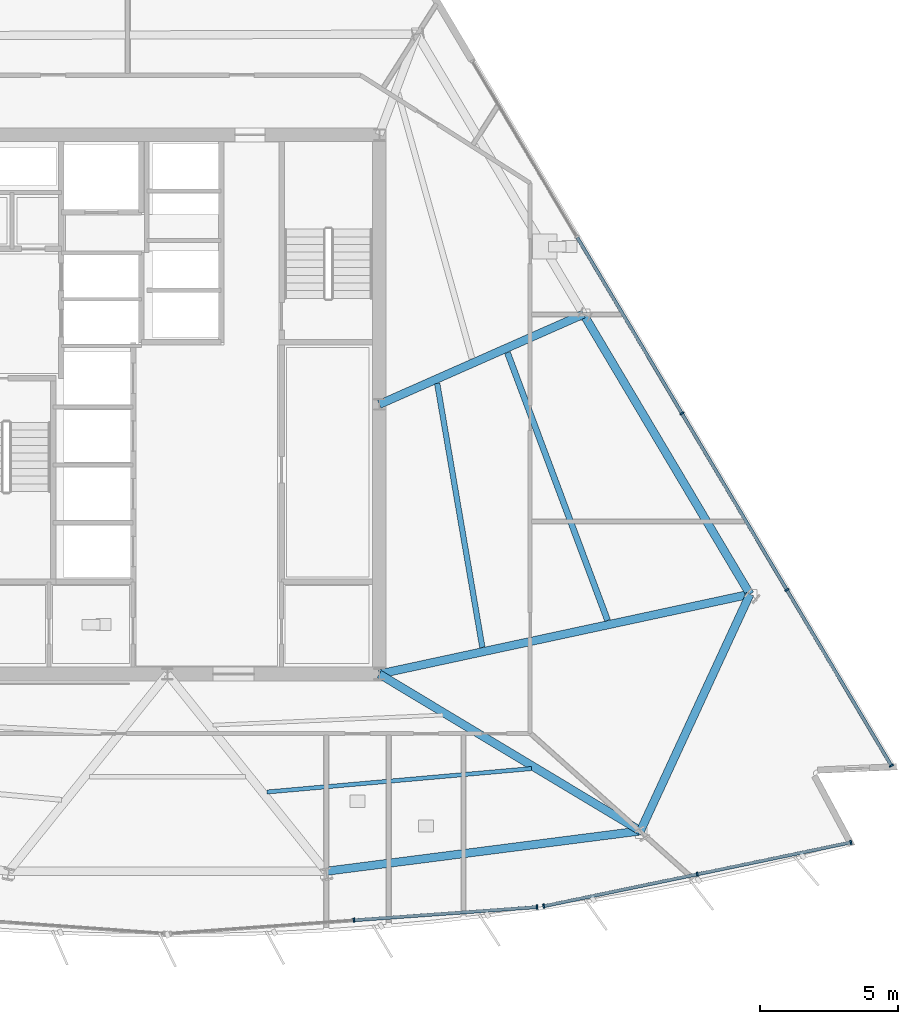
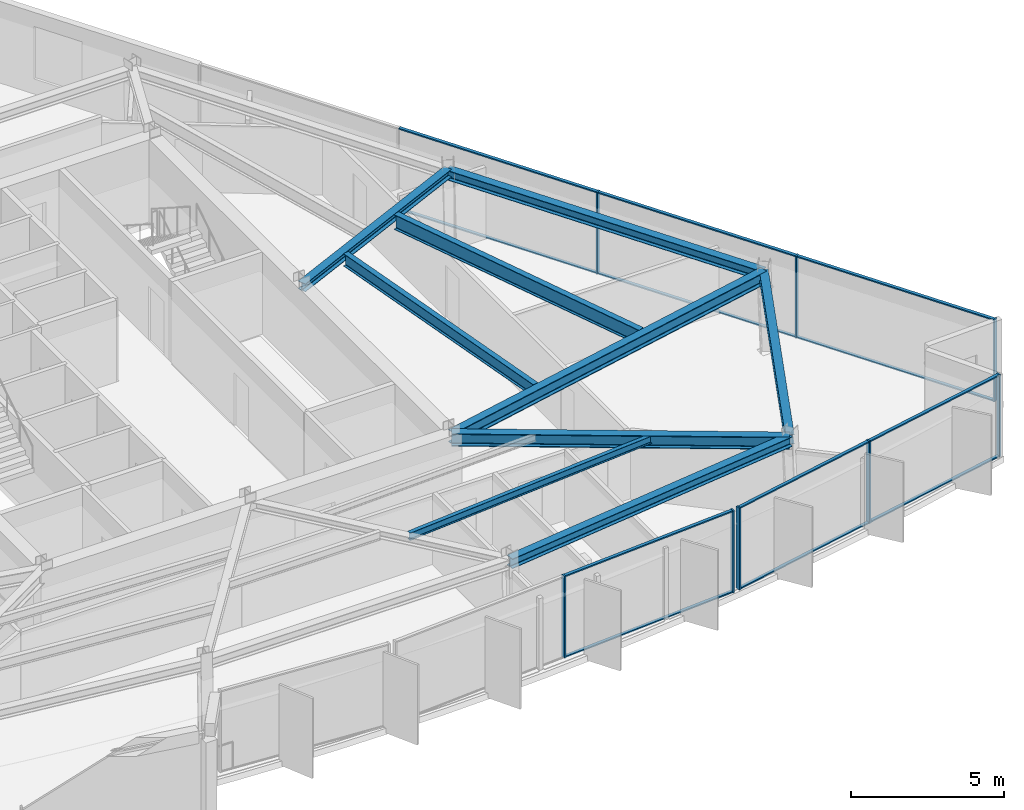
# One storey, part 5 of 14: 20 members, 9 beams, 3 elements without a shape of their own.
"""IFC4 building model written with IfcOpenShell, lengths in metres."""

import ifcopenshell
import ifcopenshell.guid

model = None  # the IFC model being written
_history = None  # IfcOwnerHistory: only IFC2X3 demands one
_inside = {}  # id of a spatial element -> (the spatial element, [elements in it])
_under = {}  # id of a project, library or spatial element -> (it, [spatial elements below it])
_declared = {}  # id of a project -> (the project, [libraries it declares])
_typed = {}  # id of a type object -> (the type object, [elements of that type])
_made_of = {}  # id of a material, layer set ... -> (it, [elements and type objects made of it])


def new_model(schema):
    """Start an empty IFC model of exactly this schema.

    Asked for "IFC4X3", IfcOpenShell would pick the latest addendum, in which some entities
    have other attributes; the version numbers below select the first issue.
    IFC2X3 requires an IfcOwnerHistory on every rooted entity: one is made here for all.
    """
    global model, _history
    if schema == "IFC4X3":
        model = ifcopenshell.file(schema_version=(4, 3, 0, 0))
    else:
        model = ifcopenshell.file(schema=schema)
    _inside.clear()
    _under.clear()
    _declared.clear()
    _typed.clear()
    _made_of.clear()
    _history = None
    if model.schema == "IFC2X3":
        org = make("IfcOrganization", Name="unknown")
        user = make(
            "IfcPersonAndOrganization",
            ThePerson=make("IfcPerson", FamilyName="unknown"),
            TheOrganization=org,
        )
        app = make(
            "IfcApplication",
            ApplicationDeveloper=org,
            Version="unknown",
            ApplicationFullName="unknown",
            ApplicationIdentifier="unknown",
        )
        _history = make(
            "IfcOwnerHistory",
            OwningUser=user,
            OwningApplication=app,
            ChangeAction="ADDED",
            CreationDate=0,
        )
    return model


def make(cls, **values):
    """One entity of the class cls with the attributes given. An attribute that is None is left unset."""
    return model.create_entity(
        cls, **{name: value for name, value in values.items() if value is not None}
    )


def rooted(cls, **values):
    """An entity with a GlobalId (a new one), such as an element, a storey or a relation."""
    return make(cls, GlobalId=ifcopenshell.guid.new(), OwnerHistory=_history, **values)


def si_unit(unit_type, name, prefix=None):
    """IfcSIUnit, for example si_unit("LENGTHUNIT", "METRE", prefix="MILLI")."""
    return make("IfcSIUnit", UnitType=unit_type, Prefix=prefix, Name=name)


def assignment(units):
    """IfcUnitAssignment: the units of a project."""
    return None if units is None else make("IfcUnitAssignment", Units=units)


def point(xyz):
    """IfcCartesianPoint."""
    return None if xyz is None else make("IfcCartesianPoint", Coordinates=xyz)


def direction(xyz):
    """IfcDirection."""
    return None if xyz is None else make("IfcDirection", DirectionRatios=xyz)


def frame(location, z_axis=None, x_axis=None):
    """IfcAxis2Placement3D, a coordinate frame: its origin and axes. An axis left out is left unset."""
    return make(
        "IfcAxis2Placement3D",
        Location=point(location),
        Axis=direction(z_axis),
        RefDirection=direction(x_axis),
    )


def frame_2d(location, x_axis=None):
    """IfcAxis2Placement2D, a coordinate frame in the plane: its origin and x axis."""
    return make(
        "IfcAxis2Placement2D", Location=point(location), RefDirection=direction(x_axis)
    )


def origin():
    """The frame at (0, 0, 0) with its axes left unset."""
    return frame((0.0, 0.0, 0.0))


def origin_2d():
    """The frame at (0, 0) in the plane with its x axis left unset."""
    return frame_2d((0.0, 0.0))


def place(relative_to, where):
    """IfcLocalPlacement: puts the frame where relative to a parent placement (None: the world)."""
    return make(
        "IfcLocalPlacement", PlacementRelTo=relative_to, RelativePlacement=where
    )


def context(
    kind, dimensions, precision=None, world=None, true_north=None, identifier=None
):
    """IfcGeometricRepresentationContext, for example the 3D "Model" context."""
    return make(
        "IfcGeometricRepresentationContext",
        ContextIdentifier=identifier,
        ContextType=kind,
        CoordinateSpaceDimension=dimensions,
        Precision=precision,
        WorldCoordinateSystem=world,
        TrueNorth=true_north,
    )


def subcontext(parent, identifier, kind, view, scale=None):
    """IfcGeometricRepresentationSubContext, for example "Body" below "Model"."""
    return make(
        "IfcGeometricRepresentationSubContext",
        ContextIdentifier=identifier,
        ContextType=kind,
        ParentContext=parent,
        TargetScale=scale,
        TargetView=view,
    )


def project(units=None, contexts=None):
    """IfcProject with its units and contexts."""
    return rooted(
        "IfcProject",
        Name="project",
        RepresentationContexts=contexts,
        UnitsInContext=assignment(units),
    )


def spatial(cls, under=None, at=None, **own):
    """A site, building, storey or space (cls), placed at a placement, below another one or the project."""
    s = rooted(cls, ObjectPlacement=at, **own)
    if under is not None:
        _under.setdefault(under.id(), (under, []))[1].append(s)
    return s


def profile(cls, at=None, kind="AREA", **sizes):
    """A parametric profile (cls). Its sizes go by their IFC names, for example OverallWidth=200.0."""
    return make(cls, ProfileType=kind, Position=at, **sizes)


def rectangle(**sizes):
    """IfcRectangleProfileDef."""
    return profile("IfcRectangleProfileDef", **sizes)


def i_section(**sizes):
    """IfcIShapeProfileDef."""
    return profile("IfcIShapeProfileDef", **sizes)


def extrude(swept, where, along, depth):
    """IfcExtrudedAreaSolid: the profile swept, set in the frame where, extruded along a direction by depth."""
    return make(
        "IfcExtrudedAreaSolid",
        SweptArea=swept,
        Position=where,
        ExtrudedDirection=direction(along),
        Depth=depth,
    )


def shape(context_of_items, identifier, shape_type, items):
    """IfcShapeRepresentation: the items that make up one representation, for example the "Body"."""
    return make(
        "IfcShapeRepresentation",
        ContextOfItems=context_of_items,
        RepresentationIdentifier=identifier,
        RepresentationType=shape_type,
        Items=items,
    )


def material(Name=None, Category=None):
    """IfcMaterial."""
    return make("IfcMaterial", Name=Name, Category=Category)


def material_profile(
    of_material, cross_section, Name=None, Category=None, Priority=None
):
    """IfcMaterialProfile: a cross section and its material."""
    return make(
        "IfcMaterialProfile",
        Name=Name,
        Material=of_material,
        Profile=cross_section,
        Priority=Priority,
        Category=Category,
    )


def profile_set(profiles, Name=None, composite=None):
    """IfcMaterialProfileSet."""
    return make(
        "IfcMaterialProfileSet",
        Name=Name,
        MaterialProfiles=profiles,
        CompositeProfile=composite,
    )


def made_of(thing, what):
    """Note that an element or type object is made of a material, layer set ...; save() writes the relation."""
    if what is not None:
        _made_of.setdefault(what.id(), (what, []))[1].append(thing)
    return thing


def type_object(cls, material=None, **own):
    """A type object (cls), such as IfcWallType, which elements share."""
    return made_of(rooted(cls, **own), material)


def element(
    cls,
    number,
    at=None,
    inside=None,
    cuts=None,
    type_object=None,
    material=None,
    context=None,
    identifier="Body",
    shape_type=None,
    held_by="IfcProductDefinitionShape",
    body=None,
    shapes=None,
    **own,
):
    """One element of the class cls, such as IfcWall. Its Tag is "e" and its number.

    at: its placement. inside: the storey or other place that contains it. cuts: it is an
    opening in that element (IfcRelVoidsElement). A single representation is given by context,
    identifier, shape_type and body (its items); several are given by shapes. held_by: the class
    of the entity that holds the representations. save() writes the other relations.
    """
    e = rooted(cls, Tag="e%d" % number, ObjectPlacement=at, **own)
    if body is not None:
        shapes = [shape(context, identifier, shape_type, body)]
    if shapes is not None:
        e.Representation = make(held_by, Representations=shapes)
    if inside is not None:
        _inside.setdefault(inside.id(), (inside, []))[1].append(e)
    if cuts is not None:
        rooted(
            "IfcRelVoidsElement", RelatingBuildingElement=cuts, RelatedOpeningElement=e
        )
    if type_object is not None:
        _typed.setdefault(type_object.id(), (type_object, []))[1].append(e)
    return made_of(e, material)


def aggregate(whole, parts):
    """IfcRelAggregates: a whole, such as a stair, and the parts it consists of."""
    return rooted("IfcRelAggregates", RelatingObject=whole, RelatedObjects=parts)


def save(model, path):
    """Write the relations noted so far, then the file.

    IfcRelAggregates (storeys below a building ...), IfcRelContainedInSpatialStructure (elements
    in a storey), IfcRelDefinesByType, IfcRelAssociatesMaterial and IfcRelDeclares: one each for
    every whole, place, type object, material and project.
    """
    for whole, parts in _under.values():
        aggregate(whole, parts)
    for where, things in _inside.values():
        rooted(
            "IfcRelContainedInSpatialStructure",
            RelatedElements=things,
            RelatingStructure=where,
        )
    for kind, things in _typed.values():
        rooted("IfcRelDefinesByType", RelatedObjects=things, RelatingType=kind)
    for what, things in _made_of.values():
        rooted("IfcRelAssociatesMaterial", RelatedObjects=things, RelatingMaterial=what)
    for by, libraries in _declared.values():
        rooted("IfcRelDeclares", RelatingContext=by, RelatedDefinitions=libraries)
    model.write(path)


model = new_model("IFC4")

# Units and contexts
model_context = context("Model", 3, precision=1e-05, world=origin(), true_north=direction((0.0, 1.0)))
body_context = subcontext(model_context, "Body", "Model", "MODEL_VIEW")
ifc_project = project(units=[si_unit("LENGTHUNIT", "METRE"), si_unit("AREAUNIT", "SQUARE_METRE"), si_unit("VOLUMEUNIT", "CUBIC_METRE"), si_unit("PLANEANGLEUNIT", "RADIAN"), si_unit("MASSUNIT", "GRAM", prefix="KILO")], contexts=[model_context])

# Site, building, storey
site_placement = place(None, origin())
site = spatial("IfcSite", under=ifc_project, at=site_placement, CompositionType="ELEMENT")
building_placement = place(site_placement, origin())
building = spatial("IfcBuilding", under=site, at=building_placement, Name="Savorim Split Tower", CompositionType="ELEMENT")
storey_placement = place(building_placement, frame((0.0, 0.0, 181.800048828125)))
storey = spatial("IfcBuildingStorey", under=building, at=storey_placement, Name="L48", CompositionType="ELEMENT", Elevation=181.800048828125)

# Beams
ifc_material_1 = material(Name="Steel S355", Category="steel")
ifc_material_profile_1 = material_profile(ifc_material_1, i_section(OverallWidth=0.14990234375, OverallDepth=0.300048828125, WebThickness=0.007080078125, FlangeThickness=0.0107421875, FilletRadius=0.014892578125, at=origin_2d()), Name="IPE 300")
ifc_profile_set_1 = profile_set([ifc_material_profile_1], Name="Steel S355")
beam_type_1 = type_object("IfcBeamType", Name="BM-JST-IPE300", PredefinedType="JOIST", material=ifc_profile_set_1)
beam_1_placement = place(storey_placement, frame((3.6162109375, -13.68701171875, 3.1298828125), z_axis=(0.996097228564, 0.088262739858, 0.0), x_axis=(-0.088262739858, 0.996097228564, 0.0)))
element("IfcBeam", 1, at=beam_1_placement, inside=storey, type_object=beam_type_1, Name="L48 Secondary Floor Joist JS-04", PredefinedType="JOIST", context=body_context, shape_type="SweptSolid", body=[
    extrude(i_section(OverallWidth=0.14990234375, OverallDepth=0.300048828125, WebThickness=0.007080078125, FlangeThickness=0.0107421875, FilletRadius=0.014892578125, at=origin_2d()), origin(), (0.0, 0.0, 1.0), 9.65625),
])
ifc_material_profile_2 = material_profile(ifc_material_1, i_section(OverallWidth=0.199951171875, OverallDepth=0.5, WebThickness=0.01025390625, FlangeThickness=0.01611328125, FilletRadius=0.02099609375, at=origin_2d()), Name="IPE 500")
ifc_profile_set_2 = profile_set([ifc_material_profile_2], Name="Steel S355")
beam_type_2 = type_object("IfcBeamType", Name="BM-JST-IPE500", PredefinedType="JOIST", material=ifc_profile_set_2)
beam_2_placement = place(storey_placement, frame((11.44482421875, -8.429443359375, 3.030029296875), z_axis=(-0.16860093787, 0.985684393581, 0.0), x_axis=(-0.985684393581, -0.16860093787, 0.0)))
element("IfcBeam", 2, at=beam_2_placement, inside=storey, type_object=beam_type_2, Name="L48 Secondary Floor Joist JS-08", PredefinedType="JOIST", context=body_context, shape_type="SweptSolid", body=[
    extrude(i_section(OverallWidth=0.199951171875, OverallDepth=0.5, WebThickness=0.01025390625, FlangeThickness=0.01611328125, FilletRadius=0.02099609375, at=origin_2d()), origin(), (0.0, 0.0, 1.0), 9.729248046875),
])
ifc_material_profile_3 = material_profile(ifc_material_1, i_section(OverallWidth=0.219970703125, OverallDepth=0.60009765625, WebThickness=0.011962890625, FlangeThickness=0.01904296875, FilletRadius=0.02392578125, at=origin_2d()), Name="IPE 600")
ifc_profile_set_3 = profile_set([ifc_material_profile_3], Name="Steel S355")
beam_type_3 = type_object("IfcBeamType", Name="BM-JST-IPE600", PredefinedType="JOIST", material=ifc_profile_set_3)
beam_3_placement = place(storey_placement, frame((15.99609375, -7.450439453125, 2.97998046875), z_axis=(-0.350253093531, 0.936655096859, 0.0), x_axis=(-0.936655096859, -0.350253093531, 0.0)))
element("IfcBeam", 3, at=beam_3_placement, inside=storey, type_object=beam_type_3, Name="L48 Secondary Floor Joist JS-06", PredefinedType="JOIST", context=body_context, shape_type="SweptSolid", body=[
    extrude(i_section(OverallWidth=0.219970703125, OverallDepth=0.60009765625, WebThickness=0.011962890625, FlangeThickness=0.01904296875, FilletRadius=0.02392578125, at=origin_2d()), origin(), (0.0, 0.0, 1.0), 10.39208984375),
])
ifc_material_profile_4 = material_profile(ifc_material_1, i_section(OverallWidth=0.300048828125, OverallDepth=0.320068359375, WebThickness=0.011474609375, FlangeThickness=0.0205078125, FilletRadius=0.027099609375, at=origin_2d()), Name="HEB 320")
ifc_profile_set_4 = profile_set([ifc_material_profile_4], Name="Steel S355")
beam_type_4 = type_object("IfcBeamType", Name="BM-PRI-HEB320", PredefinedType="BEAM", material=ifc_profile_set_4)
beam_4_placement = place(storey_placement, frame((15.11962890625, 3.6796875, 3.119873046875), z_axis=(-0.914626307992, -0.404300280397, 0.0), x_axis=(0.404300280397, -0.914626307992, 0.0)))
element("IfcBeam", 4, at=beam_4_placement, inside=storey, type_object=beam_type_4, Name="L48 Primary Floor Girder RG-06", PredefinedType="BEAM", context=body_context, shape_type="SweptSolid", body=[
    extrude(i_section(OverallWidth=0.300048828125, OverallDepth=0.320068359375, WebThickness=0.011474609375, FlangeThickness=0.0205078125, FilletRadius=0.027099609375, at=origin_2d()), origin(), (0.0, 0.0, 1.0), 8.1123046875),
])
ifc_material_profile_5 = material_profile(ifc_material_1, i_section(OverallWidth=0.300048828125, OverallDepth=0.5, WebThickness=0.014404296875, FlangeThickness=0.028076171875, FilletRadius=0.027099609375, at=origin_2d()), Name="HEB 500")
ifc_profile_set_5 = profile_set([ifc_material_profile_5], Name="Steel S355")
beam_type_5 = type_object("IfcBeamType", Name="BM-PRI-HEB500", PredefinedType="BEAM", material=ifc_profile_set_5)
beam_5_placement = place(storey_placement, frame((17.190185546875, -15.10107421875, 3.030029296875), z_axis=(-0.857212606061, 0.514962666617, 0.0), x_axis=(-0.514962666617, -0.857212606061, 0.0)))
element("IfcBeam", 5, at=beam_5_placement, inside=storey, type_object=beam_type_5, Name="L48 Primary Floor Girder RG-04", PredefinedType="BEAM", context=body_context, shape_type="SweptSolid", body=[
    extrude(i_section(OverallWidth=0.300048828125, OverallDepth=0.5, WebThickness=0.014404296875, FlangeThickness=0.028076171875, FilletRadius=0.027099609375, at=origin_2d()), origin(), (0.0, 0.0, 1.0), 11.071044921875),
])
beam_6_placement = place(storey_placement, frame((21.1708984375, -6.497314453125, 3.030029296875), z_axis=(-0.977564553933, -0.210636043672, 0.0), x_axis=(0.210636043672, -0.977564553933, 0.0)))
element("IfcBeam", 6, at=beam_6_placement, inside=storey, type_object=beam_type_5, Name="L48 Primary Floor Girder RG-05", PredefinedType="BEAM", context=body_context, shape_type="SweptSolid", body=[
    extrude(i_section(OverallWidth=0.300048828125, OverallDepth=0.5, WebThickness=0.014404296875, FlangeThickness=0.028076171875, FilletRadius=0.027099609375, at=origin_2d()), origin(), (0.0, 0.0, 1.0), 13.780029296875),
])
ifc_material_profile_6 = material_profile(ifc_material_1, i_section(OverallWidth=0.300048828125, OverallDepth=0.389892578125, WebThickness=0.010986328125, FlangeThickness=0.01904296875, FilletRadius=0.027099609375, at=origin_2d()), Name="HEA 400")
ifc_profile_set_6 = profile_set([ifc_material_profile_6], Name="Steel S355")
beam_type_6 = type_object("IfcBeamType", Name="BM-SPN-HEA400", PredefinedType="SPANDREL", material=ifc_profile_set_6)
beam_7_placement = place(storey_placement, frame((5.761474609375, -16.568359375, 3.0849609375), z_axis=(0.991859035533, 0.127340699042, 0.0), x_axis=(-0.127340699042, 0.991859035533, 0.0)))
element("IfcBeam", 7, at=beam_7_placement, inside=storey, type_object=beam_type_6, Name="L48 Perimeter Spandrel Beam 3", PredefinedType="SPANDREL", context=body_context, shape_type="SweptSolid", body=[
    extrude(i_section(OverallWidth=0.300048828125, OverallDepth=0.389892578125, WebThickness=0.010986328125, FlangeThickness=0.01904296875, FilletRadius=0.027099609375, at=origin_2d()), origin(), (0.0, 0.0, 1.0), 11.5224609375),
])
beam_8_placement = place(storey_placement, frame((17.190185546875, -15.10107421875, 3.0849609375), z_axis=(0.41990558853, 0.907567791805, 0.0), x_axis=(-0.907567791805, 0.41990558853, 0.0)))
element("IfcBeam", 8, at=beam_8_placement, inside=storey, type_object=beam_type_6, Name="L48 Perimeter Spandrel Beam 4", PredefinedType="SPANDREL", context=body_context, shape_type="SweptSolid", body=[
    extrude(i_section(OverallWidth=0.300048828125, OverallDepth=0.389892578125, WebThickness=0.010986328125, FlangeThickness=0.01904296875, FilletRadius=0.027099609375, at=origin_2d()), origin(), (0.0, 0.0, 1.0), 9.47998046875),
])
beam_9_placement = place(storey_placement, frame((21.1708984375, -6.497314453125, 3.0849609375), z_axis=(-0.511080333589, 0.859532950281, 0.0), x_axis=(-0.859532950281, -0.511080333589, 0.0)))
element("IfcBeam", 9, at=beam_9_placement, inside=storey, type_object=beam_type_6, Name="L48 Perimeter Spandrel Beam 5", PredefinedType="SPANDREL", context=body_context, shape_type="SweptSolid", body=[
    extrude(i_section(OverallWidth=0.300048828125, OverallDepth=0.389892578125, WebThickness=0.010986328125, FlangeThickness=0.01904296875, FilletRadius=0.027099609375, at=origin_2d()), origin(), (0.0, 0.0, 1.0), 11.840087890625),
])

# Curtain wall, members
ifc_material_2 = material(Name="Dark Ceramic-Fritted Insulated Glass", Category="glass")
curtain_wall_type = type_object("IfcCurtainWallType", Name="CW-TWR-FRIT-B", PredefinedType="NOTDEFINED", material=ifc_material_2)
curtain_wall_1_placement = place(storey_placement, origin())
curtain_wall_1 = element("IfcCurtainWall", 10, at=curtain_wall_1_placement, inside=storey, type_object=curtain_wall_type, Name="L48 Curtain Wall CW-L48-SF3A", PredefinedType="NOTDEFINED")
ifc_material_3 = material(Name="Charcoal Anodised Aluminium", Category="aluminium")
ifc_material_profile_7 = material_profile(ifc_material_3, rectangle(XDim=0.159912109375, YDim=0.06005859375, at=origin_2d()), Name="ALU-M 160x60")
ifc_profile_set_7 = profile_set([ifc_material_profile_7], Name="Charcoal Anodised Aluminium")
member_type_1 = type_object("IfcMemberType", Name="CWM-160x60", PredefinedType="MULLION", material=ifc_profile_set_7)
member_1_placement = place(storey_placement, frame((6.77685546875, -18.345458984375, 0.0), z_axis=(0.0, 0.0, 1.0), x_axis=(-0.07155928658, 0.997436348097, 0.0)))
member_1 = element("IfcMember", 11, at=member_1_placement, type_object=member_type_1, Name="CW-03 mullion 2", PredefinedType="MULLION", context=body_context, shape_type="SweptSolid", body=[
    extrude(rectangle(XDim=0.159912109375, YDim=0.06005859375, at=origin_2d()), origin(), (0.0, 0.0, 1.0), 3.280029296875),
])
member_2_placement = place(storey_placement, frame((13.4326171875, -17.8681640625, 0.0), z_axis=(0.0, 0.0, 1.0), x_axis=(-0.07155928658, 0.997436348097, 0.0)))
member_2 = element("IfcMember", 12, at=member_2_placement, type_object=member_type_1, Name="CW-03 mullion 3", PredefinedType="MULLION", context=body_context, shape_type="SweptSolid", body=[
    extrude(rectangle(XDim=0.159912109375, YDim=0.06005859375, at=origin_2d()), origin(), (0.0, 0.0, 1.0), 3.280029296875),
])

curtain_wall_2_placement = place(storey_placement, origin())
curtain_wall_2 = element("IfcCurtainWall", 13, at=curtain_wall_2_placement, inside=storey, type_object=curtain_wall_type, Name="L48 Curtain Wall CW-L48-SF4A", PredefinedType="NOTDEFINED")
member_3_placement = place(storey_placement, frame((13.673583984375, -17.83447265625, 0.0), z_axis=(0.0, 0.0, 1.0), x_axis=(-0.20321645683, 0.979133837467, 0.0)))
member_3 = element("IfcMember", 14, at=member_3_placement, type_object=member_type_1, Name="CW-03 mullion 1", PredefinedType="MULLION", context=body_context, shape_type="SweptSolid", body=[
    extrude(rectangle(XDim=0.159912109375, YDim=0.06005859375, at=origin_2d()), origin(), (0.0, 0.0, 1.0), 3.280029296875),
])
member_4_placement = place(storey_placement, frame((19.257080078125, -16.67578125, 0.0), z_axis=(0.0, 0.0, 1.0), x_axis=(-0.20321645683, 0.979133837467, 0.0)))
member_4 = element("IfcMember", 15, at=member_4_placement, type_object=member_type_1, Name="CW-03 mullion 2", PredefinedType="MULLION", context=body_context, shape_type="SweptSolid", body=[
    extrude(rectangle(XDim=0.159912109375, YDim=0.06005859375, at=origin_2d()), origin(), (0.0, 0.0, 1.0), 3.280029296875),
])
member_5_placement = place(storey_placement, frame((24.84033203125, -15.516845703125, 0.0), z_axis=(0.0, 0.0, 1.0), x_axis=(-0.20321645683, 0.979133837467, 0.0)))
member_5 = element("IfcMember", 16, at=member_5_placement, type_object=member_type_1, Name="CW-03 mullion 3", PredefinedType="MULLION", context=body_context, shape_type="SweptSolid", body=[
    extrude(rectangle(XDim=0.159912109375, YDim=0.06005859375, at=origin_2d()), origin(), (0.0, 0.0, 1.0), 3.280029296875),
])

curtain_wall_3_placement = place(storey_placement, origin())
curtain_wall_3 = element("IfcCurtainWall", 17, at=curtain_wall_3_placement, inside=storey, type_object=curtain_wall_type, Name="L48 Curtain Wall CW-L48-EAST", PredefinedType="NOTDEFINED")
member_6_placement = place(storey_placement, frame((26.31005859375, -12.7314453125, 0.0), z_axis=(0.0, 0.0, 1.0), x_axis=(-0.85952495128, -0.511093786039, 0.0)))
member_6 = element("IfcMember", 18, at=member_6_placement, type_object=member_type_1, Name="CW-03 mullion 1", PredefinedType="MULLION", context=body_context, shape_type="SweptSolid", body=[
    extrude(rectangle(XDim=0.159912109375, YDim=0.06005859375, at=origin_2d()), origin(), (0.0, 0.0, 1.0), 3.280029296875),
])
member_7_placement = place(storey_placement, frame((22.5107421875, -6.34228515625, 0.0), z_axis=(0.0, 0.0, 1.0), x_axis=(-0.85952495128, -0.511093786039, 0.0)))
member_7 = element("IfcMember", 19, at=member_7_placement, type_object=member_type_1, Name="CW-03 mullion 2", PredefinedType="MULLION", context=body_context, shape_type="SweptSolid", body=[
    extrude(rectangle(XDim=0.159912109375, YDim=0.06005859375, at=origin_2d()), origin(), (0.0, 0.0, 1.0), 3.280029296875),
])
member_8_placement = place(storey_placement, frame((18.6962890625, 0.07275390625, 0.0), z_axis=(0.0, 0.0, 1.0), x_axis=(-0.85952495128, -0.511093786039, 0.0)))
member_8 = element("IfcMember", 20, at=member_8_placement, type_object=member_type_1, Name="CW-03 mullion 3", PredefinedType="MULLION", context=body_context, shape_type="SweptSolid", body=[
    extrude(rectangle(XDim=0.159912109375, YDim=0.06005859375, at=origin_2d()), origin(), (0.0, 0.0, 1.0), 3.280029296875),
])

# Member
ifc_material_profile_8 = material_profile(ifc_material_3, rectangle(XDim=0.1201171875, YDim=0.050048828125, at=origin_2d()), Name="ALU-T 120x50")
ifc_profile_set_8 = profile_set([ifc_material_profile_8], Name="Charcoal Anodised Aluminium")
member_type_2 = type_object("IfcMemberType", Name="CWT-120x50", PredefinedType="USERDEFINED", material=ifc_profile_set_8)
member_9_placement = place(storey_placement, frame((6.806884765625, -18.343505859375, 0.02490234375), z_axis=(0.997434277973, 0.071588135364, 0.0), x_axis=(-0.071588135364, 0.997434277973, 0.0)))
member_9 = element("IfcMember", 21, at=member_9_placement, type_object=member_type_2, Name="CW-03 transom 2.1", ObjectType="TRANSOM", PredefinedType="USERDEFINED", context=body_context, shape_type="SweptSolid", body=[
    extrude(rectangle(XDim=0.1201171875, YDim=0.050048828125, at=origin_2d()), origin(), (0.0, 0.0, 1.0), 6.612548828125),
])

member_10_placement = place(storey_placement, frame((6.806884765625, -18.343505859375, 3.2548828125), z_axis=(0.997434277973, 0.071588135364, 0.0), x_axis=(-0.071588135364, 0.997434277973, 0.0)))
member_10 = element("IfcMember", 22, at=member_10_placement, type_object=member_type_2, Name="CW-03 transom 2.2", ObjectType="TRANSOM", PredefinedType="USERDEFINED", context=body_context, shape_type="SweptSolid", body=[
    extrude(rectangle(XDim=0.1201171875, YDim=0.050048828125, at=origin_2d()), origin(), (0.0, 0.0, 1.0), 6.612548828125),
])

aggregate(curtain_wall_1, [member_1, member_2, member_9, member_10])

member_11_placement = place(storey_placement, frame((13.703125, -17.828369140625, 0.02490234375), z_axis=(0.979137086362, 0.203200802437, 0.0), x_axis=(-0.203200802437, 0.979137086362, 0.0)))
member_11 = element("IfcMember", 23, at=member_11_placement, type_object=member_type_2, Name="CW-03 transom 1.1", ObjectType="TRANSOM", PredefinedType="USERDEFINED", context=body_context, shape_type="SweptSolid", body=[
    extrude(rectangle(XDim=0.1201171875, YDim=0.050048828125, at=origin_2d()), origin(), (0.0, 0.0, 1.0), 5.64208984375),
])

member_12_placement = place(storey_placement, frame((13.703125, -17.828369140625, 3.2548828125), z_axis=(0.979137086362, 0.203200802437, 0.0), x_axis=(-0.203200802437, 0.979137086362, 0.0)))
member_12 = element("IfcMember", 24, at=member_12_placement, type_object=member_type_2, Name="CW-03 transom 1.2", ObjectType="TRANSOM", PredefinedType="USERDEFINED", context=body_context, shape_type="SweptSolid", body=[
    extrude(rectangle(XDim=0.1201171875, YDim=0.050048828125, at=origin_2d()), origin(), (0.0, 0.0, 1.0), 5.64208984375),
])

member_13_placement = place(storey_placement, frame((19.286376953125, -16.669677734375, 0.02490234375), z_axis=(0.979130263576, 0.203233675727, 0.0), x_axis=(-0.203233675727, 0.979130263576, 0.0)))
member_13 = element("IfcMember", 25, at=member_13_placement, type_object=member_type_2, Name="CW-03 transom 2.1", ObjectType="TRANSOM", PredefinedType="USERDEFINED", context=body_context, shape_type="SweptSolid", body=[
    extrude(rectangle(XDim=0.1201171875, YDim=0.050048828125, at=origin_2d()), origin(), (0.0, 0.0, 1.0), 5.642333984375),
])

member_14_placement = place(storey_placement, frame((19.286376953125, -16.669677734375, 3.2548828125), z_axis=(0.979130263576, 0.203233675727, 0.0), x_axis=(-0.203233675727, 0.979130263576, 0.0)))
member_14 = element("IfcMember", 26, at=member_14_placement, type_object=member_type_2, Name="CW-03 transom 2.2", ObjectType="TRANSOM", PredefinedType="USERDEFINED", context=body_context, shape_type="SweptSolid", body=[
    extrude(rectangle(XDim=0.1201171875, YDim=0.050048828125, at=origin_2d()), origin(), (0.0, 0.0, 1.0), 5.642333984375),
])

aggregate(curtain_wall_2, [member_3, member_4, member_5, member_11, member_12, member_13, member_14])

member_15_placement = place(storey_placement, frame((26.294677734375, -12.70556640625, 0.02490234375), z_axis=(-0.511097871575, 0.859522521911, 0.0), x_axis=(-0.859522521911, -0.511097871575, 0.0)))
member_15 = element("IfcMember", 27, at=member_15_placement, type_object=member_type_2, Name="CW-03 transom 1.1", ObjectType="TRANSOM", PredefinedType="USERDEFINED", context=body_context, shape_type="SweptSolid", body=[
    extrude(rectangle(XDim=0.1201171875, YDim=0.050048828125, at=origin_2d()), origin(), (0.0, 0.0, 1.0), 7.37353515625),
])

member_16_placement = place(storey_placement, frame((26.294677734375, -12.70556640625, 3.2548828125), z_axis=(-0.511097871575, 0.859522521911, 0.0), x_axis=(-0.859522521911, -0.511097871575, 0.0)))
member_16 = element("IfcMember", 28, at=member_16_placement, type_object=member_type_2, Name="CW-03 transom 1.2", ObjectType="TRANSOM", PredefinedType="USERDEFINED", context=body_context, shape_type="SweptSolid", body=[
    extrude(rectangle(XDim=0.1201171875, YDim=0.050048828125, at=origin_2d()), origin(), (0.0, 0.0, 1.0), 7.37353515625),
])

member_17_placement = place(storey_placement, frame((22.495361328125, -6.31640625, 0.02490234375), z_axis=(-0.511072759011, 0.859537454098, 0.0), x_axis=(-0.859537454098, -0.511072759011, 0.0)))
member_17 = element("IfcMember", 29, at=member_17_placement, type_object=member_type_2, Name="CW-03 transom 2.1", ObjectType="TRANSOM", PredefinedType="USERDEFINED", context=body_context, shape_type="SweptSolid", body=[
    extrude(rectangle(XDim=0.1201171875, YDim=0.050048828125, at=origin_2d()), origin(), (0.0, 0.0, 1.0), 7.4033203125),
])

member_18_placement = place(storey_placement, frame((22.495361328125, -6.31640625, 3.2548828125), z_axis=(-0.511072759011, 0.859537454098, 0.0), x_axis=(-0.859537454098, -0.511072759011, 0.0)))
member_18 = element("IfcMember", 30, at=member_18_placement, type_object=member_type_2, Name="CW-03 transom 2.2", ObjectType="TRANSOM", PredefinedType="USERDEFINED", context=body_context, shape_type="SweptSolid", body=[
    extrude(rectangle(XDim=0.1201171875, YDim=0.050048828125, at=origin_2d()), origin(), (0.0, 0.0, 1.0), 7.4033203125),
])

member_19_placement = place(storey_placement, frame((18.680908203125, 0.0986328125, 0.02490234375), z_axis=(-0.511097121727, 0.859522967792, 0.0), x_axis=(-0.859522967792, -0.511097121727, 0.0)))
member_19 = element("IfcMember", 31, at=member_19_placement, type_object=member_type_2, Name="CW-03 transom 3.1", ObjectType="TRANSOM", PredefinedType="USERDEFINED", context=body_context, shape_type="SweptSolid", body=[
    extrude(rectangle(XDim=0.1201171875, YDim=0.050048828125, at=origin_2d()), origin(), (0.0, 0.0, 1.0), 7.403564453125),
])

member_20_placement = place(storey_placement, frame((18.680908203125, 0.0986328125, 3.2548828125), z_axis=(-0.511097121727, 0.859522967792, 0.0), x_axis=(-0.859522967792, -0.511097121727, 0.0)))
member_20 = element("IfcMember", 32, at=member_20_placement, type_object=member_type_2, Name="CW-03 transom 3.2", ObjectType="TRANSOM", PredefinedType="USERDEFINED", context=body_context, shape_type="SweptSolid", body=[
    extrude(rectangle(XDim=0.1201171875, YDim=0.050048828125, at=origin_2d()), origin(), (0.0, 0.0, 1.0), 7.403564453125),
])

aggregate(curtain_wall_3, [member_6, member_7, member_8, member_15, member_16, member_17, member_18, member_19, member_20])

save(model, "model.ifc")
